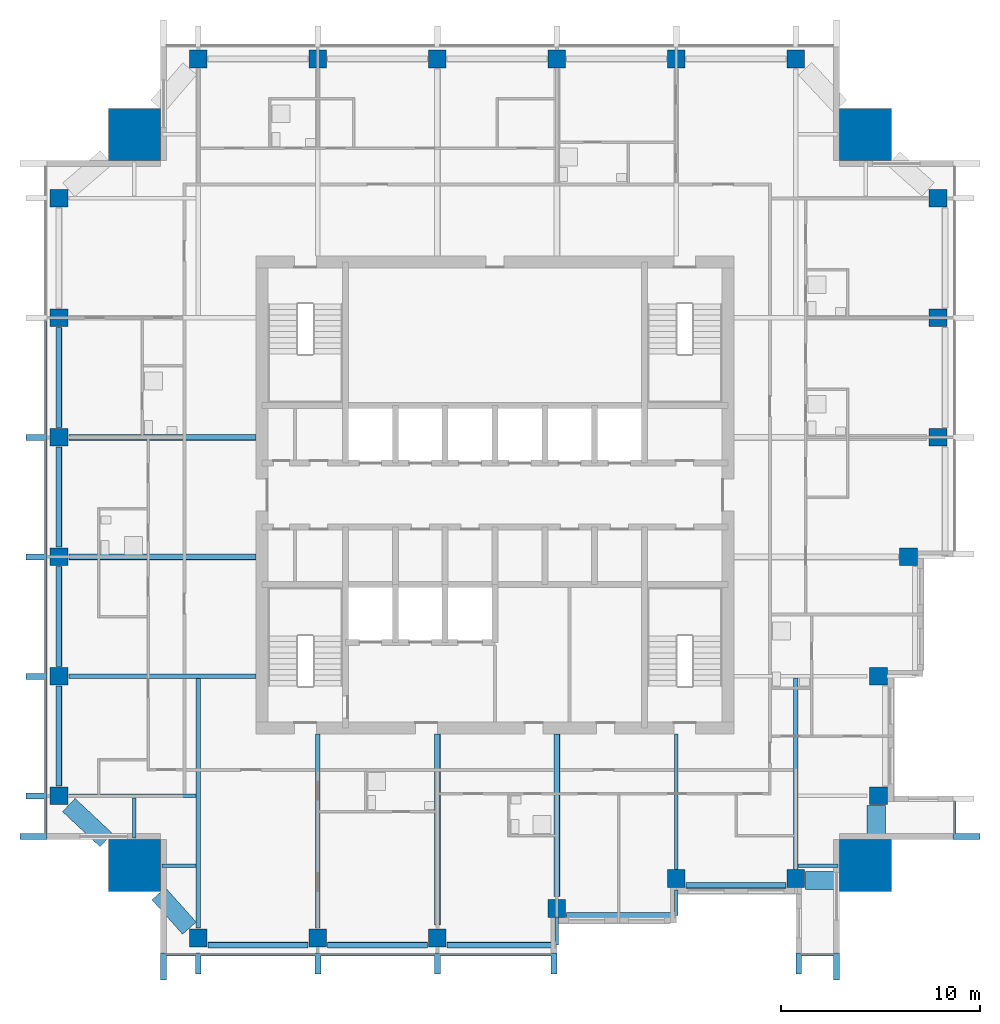
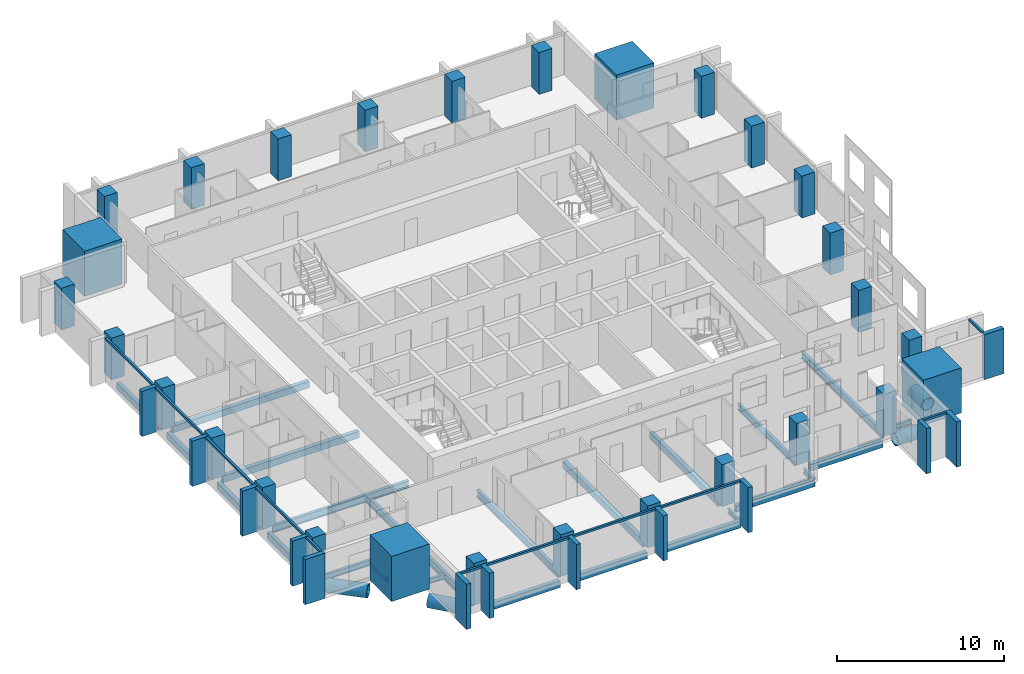
# One storey, part 1 of 12: 28 beams, 28 columns, 24 members, 4 elements without a shape of their own.
"""IFC4 building model written with IfcOpenShell, lengths in metres."""

from ifc_helpers import new_model, si_unit, direction, frame, origin, origin_2d, place, context, subcontext, project, spatial, rectangle, hollow_rectangle, hollow_circle, i_section, extrude, material, material_profile, profile_set, type_object, element, aggregate, save


model = new_model("IFC4")

# Units and contexts
model_context = context("Model", 3, precision=1e-05, world=origin(), true_north=direction((0.0, 1.0)))
body_context = subcontext(model_context, "Body", "Model", "MODEL_VIEW")
ifc_project = project(units=[si_unit("LENGTHUNIT", "METRE"), si_unit("AREAUNIT", "SQUARE_METRE"), si_unit("VOLUMEUNIT", "CUBIC_METRE"), si_unit("PLANEANGLEUNIT", "RADIAN"), si_unit("MASSUNIT", "GRAM", prefix="KILO")], contexts=[model_context])

# Site, building, storey
site_placement = place(None, origin())
site = spatial("IfcSite", under=ifc_project, at=site_placement, CompositionType="ELEMENT")
building_placement = place(site_placement, origin())
building = spatial("IfcBuilding", under=site, at=building_placement, Name="Amberfall Residences", CompositionType="ELEMENT")
storey_placement = place(building_placement, frame((0.0, 0.0, 187.0)))
storey = spatial("IfcBuildingStorey", under=building, at=storey_placement, Name="L49", CompositionType="ELEMENT", Elevation=187.0)

# Columns
ifc_material_1 = material(Name="Concrete C55", Category="concrete")
ifc_material_profile_1 = material_profile(ifc_material_1, rectangle(XDim=0.89990234375, YDim=0.89990234375, at=origin_2d()), Name="Column 900 x 900 C55")
ifc_profile_set_1 = profile_set([ifc_material_profile_1], Name="Concrete C55")
column_type_1 = type_object("IfcColumnType", Name="Column 900 x 900 C55", PredefinedType="COLUMN", material=ifc_profile_set_1)
for number, where, z_axis, x_axis, name in (
    (1, (59.60009765625, 23.25, 0.0), (0.0, 0.0, 1.0), (1.0, 0.0, 0.0), "Column C4 L49 S1"),
    (2, (65.60009765625, 23.25, 0.0), (0.0, 0.0, 1.0), (1.0, 0.0, 0.0), "Column C4 L49 S2"),
    (3, (71.60009765625, 23.25, 0.0), (0.0, 0.0, 1.0), (1.0, 0.0, 0.0), "Column C4 L49 S3"),
    (4, (77.60009765625, 24.75, 0.0), (0.0, 0.0, 1.0), (1.0, 0.0, 0.0), "Column C4 L49 S4"),
    (5, (83.60009765625, 26.25, 0.0), (0.0, 0.0, 1.0), (1.0, 0.0, 0.0), "Column C4 L49 S5"),
    (6, (89.60009765625, 26.25, 0.0), (0.0, 0.0, 1.0), (1.0, 0.0, 0.0), "Column C4 L49 S6"),
    (7, (93.75, 30.39990234375, 0.0), (0.0, 0.0, 1.0), (1.0, 0.0, 0.0), "Column C4 L49 E1"),
    (8, (93.75, 36.39990234375, 0.0), (0.0, 0.0, 1.0), (1.0, 0.0, 0.0), "Column C4 L49 E2"),
    (9, (95.25, 42.39990234375, 0.0), (0.0, 0.0, 1.0), (1.0, 0.0, 0.0), "Column C4 L49 E3"),
    (10, (96.75, 48.39990234375, 0.0), (0.0, 0.0, 1.0), (1.0, 0.0, 0.0), "Column C4 L49 E4"),
    (11, (96.75, 54.39990234375, 0.0), (0.0, 0.0, 1.0), (1.0, 0.0, 0.0), "Column C4 L49 E5"),
    (12, (96.75, 60.39990234375, 0.0), (0.0, 0.0, 1.0), (1.0, 0.0, 0.0), "Column C4 L49 E6"),
    (13, (59.60009765625, 67.39990234375, 0.0), (0.0, 0.0, 1.0), (1.0, 0.0, 0.0), "Column C4 L49 N1"),
    (14, (65.60009765625, 67.39990234375, 0.0), (0.0, 0.0, 1.0), (1.0, 0.0, 0.0), "Column C4 L49 N2"),
    (15, (71.60009765625, 67.39990234375, 0.0), (0.0, 0.0, 1.0), (1.0, 0.0, 0.0), "Column C4 L49 N3"),
    (16, (77.60009765625, 67.39990234375, 0.0), (0.0, 0.0, 1.0), (1.0, 0.0, 0.0), "Column C4 L49 N4"),
    (17, (83.60009765625, 67.39990234375, 0.0), (0.0, 0.0, 1.0), (1.0, 0.0, 0.0), "Column C4 L49 N5"),
    (18, (89.60009765625, 67.39990234375, 0.0), (0.0, 0.0, 1.0), (1.0, 0.0, 0.0), "Column C4 L49 N6"),
    (19, (52.60009765625, 30.39990234375, 0.0), (0.0, 0.0, 1.0), (1.0, 0.0, 0.0), "Column C4 L49 W1"),
    (20, (52.60009765625, 36.39990234375, 0.0), (0.0, 0.0, 1.0), (1.0, 0.0, 0.0), "Column C4 L49 W2"),
    (21, (52.60009765625, 42.39990234375, 0.0), (0.0, 0.0, 1.0), (1.0, 0.0, 0.0), "Column C4 L49 W3"),
    (22, (52.60009765625, 48.39990234375, 0.0), (0.0, 0.0, 1.0), (1.0, 0.0, 0.0), "Column C4 L49 W4"),
    (23, (52.60009765625, 54.39990234375, 0.0), (0.0, 0.0, 1.0), (1.0, 0.0, 0.0), "Column C4 L49 W5"),
    (24, (52.60009765625, 60.39990234375, 0.0), (0.0, 0.0, 1.0), (1.0, 0.0, 0.0), "Column C4 L49 W6"),
):
    element("IfcColumn", number, at=place(storey_placement, frame(where, z_axis=z_axis, x_axis=x_axis)), inside=storey, type_object=column_type_1, Name=name, PredefinedType="COLUMN", context=body_context, shape_type="SweptSolid", body=[
        extrude(rectangle(XDim=0.89990234375, YDim=0.89990234375, at=origin_2d()), origin(), (0.0, 0.0, 1.0), 3.050048828125),
    ])
ifc_material_profile_2 = material_profile(ifc_material_1, rectangle(XDim=2.60009765625, YDim=2.60009765625, at=origin_2d()), Name="Mega column 2600 x 2600 C55")
ifc_profile_set_2 = profile_set([ifc_material_profile_2], Name="Concrete C55")
column_type_2 = type_object("IfcColumnType", Name="Mega column 2600 x 2600 C55", PredefinedType="COLUMN", material=ifc_profile_set_2)
for number, where, z_axis, x_axis, name in (
    (25, (56.39990234375, 26.89990234375, 0.0), (0.0, 0.0, 1.0), (1.0, 0.0, 0.0), "Mega column MC8 L49 SW"),
    (26, (93.10009765625, 26.89990234375, 0.0), (0.0, 0.0, 1.0), (1.0, 0.0, 0.0), "Mega column MC8 L49 SE"),
    (27, (93.10009765625, 63.60009765625, 0.0), (0.0, 0.0, 1.0), (1.0, 0.0, 0.0), "Mega column MC8 L49 NE"),
    (28, (56.39990234375, 63.60009765625, 0.0), (0.0, 0.0, 1.0), (1.0, 0.0, 0.0), "Mega column MC8 L49 NW"),
):
    element("IfcColumn", number, at=place(storey_placement, frame(where, z_axis=z_axis, x_axis=x_axis)), inside=storey, type_object=column_type_2, Name=name, PredefinedType="COLUMN", context=body_context, shape_type="SweptSolid", body=[
        extrude(rectangle(XDim=2.60009765625, YDim=2.60009765625, at=origin_2d()), origin(), (0.0, 0.0, 1.0), 3.300048828125),
    ])

# Beams
ifc_material_2 = material(Name="Steel S355", Category="steel")
ifc_material_profile_3 = material_profile(ifc_material_2, hollow_circle(Radius=0.457275390625, WallThickness=0.06005859375, at=origin_2d()), Name="CHS 914.4x60")
ifc_profile_set_3 = profile_set([ifc_material_profile_3], Name="Steel S355")
beam_type_1 = type_object("IfcBeamType", Name="Belt truss chord BT CHS 914.4x60", PredefinedType="BEAM", material=ifc_profile_set_3)
beam_1_placement = place(storey_placement, frame((57.613037109375, 25.48046875, -0.707275390625), z_axis=(0.665848127469, -0.746087307992, 0.0), x_axis=(0.746087307992, 0.665848127469, 0.0)))
element("IfcBeam", 29, at=beam_1_placement, inside=storey, type_object=beam_type_1, Name="Belt truss chord BT BT2 L49 49", PredefinedType="BEAM", context=body_context, shape_type="SweptSolid", body=[
    extrude(hollow_circle(Radius=0.457275390625, WallThickness=0.06005859375, at=origin_2d()), origin(), (0.0, 0.0, 1.0), 2.3154296875),
])
beam_2_placement = place(storey_placement, frame((54.980712890625, 28.1728515625, -0.707275390625), z_axis=(-0.730272939215, 0.683155497856, 0.0), x_axis=(-0.683155497856, -0.730272939215, 0.0)))
element("IfcBeam", 30, at=beam_2_placement, inside=storey, type_object=beam_type_1, Name="Belt truss chord BT BT2 L49 50", PredefinedType="BEAM", context=body_context, shape_type="SweptSolid", body=[
    extrude(hollow_circle(Radius=0.457275390625, WallThickness=0.06005859375, at=origin_2d()), origin(), (0.0, 0.0, 1.0), 2.5751953125),
])
for number, where, z_axis, x_axis, name in (
    (31, (91.718505859375, 26.14404296875, -0.707275390625), (-1.0, 0.0, 0.0), (0.0, -1.0, 0.0), "Belt truss chord BT BT2 L49 51"),
    (32, (93.637451171875, 28.281494140625, -0.707275390625), (0.0, 1.0, 0.0), (-1.0, 0.0, 0.0), "Belt truss chord BT BT2 L49 52"),
):
    element("IfcBeam", number, at=place(storey_placement, frame(where, z_axis=z_axis, x_axis=x_axis)), inside=storey, type_object=beam_type_1, Name=name, PredefinedType="BEAM", context=body_context, shape_type="SweptSolid", body=[
        extrude(hollow_circle(Radius=0.457275390625, WallThickness=0.06005859375, at=origin_2d()), origin(), (0.0, 0.0, 1.0), 1.618408203125),
    ])
ifc_material_profile_4 = material_profile(ifc_material_2, hollow_rectangle(XDim=0.300048828125, YDim=0.5, WallThickness=0.01611328125, InnerFilletRadius=0.01611328125, OuterFilletRadius=0.02392578125, at=origin_2d()), Name="RHS 500x300x16")
ifc_profile_set_4 = profile_set([ifc_material_profile_4], Name="Steel S355")
beam_type_2 = type_object("IfcBeamType", Name="Belt truss chord BT RHS 500x300x16", PredefinedType="BEAM", material=ifc_profile_set_4)
for number, where, z_axis, x_axis, name in (
    (33, (60.10009765625, 22.89990234375, -0.5), (1.0, 0.0, 0.0), (0.0, 1.0, 0.0), "Belt truss chord BT BT1 L49 01"),
    (34, (66.10009765625, 22.89990234375, -0.5), (1.0, 0.0, 0.0), (0.0, 1.0, 0.0), "Belt truss chord BT BT1 L49 02"),
):
    element("IfcBeam", number, at=place(storey_placement, frame(where, z_axis=z_axis, x_axis=x_axis)), inside=storey, type_object=beam_type_2, Name=name, PredefinedType="BEAM", context=body_context, shape_type="SweptSolid", body=[
        extrude(hollow_rectangle(XDim=0.300048828125, YDim=0.5, WallThickness=0.01611328125, InnerFilletRadius=0.01611328125, OuterFilletRadius=0.02392578125, at=origin_2d()), origin(), (0.0, 0.0, 1.0), 5.0),
    ])
for number, where, z_axis, x_axis, name in (
    (35, (72.10009765625, 22.89990234375, -0.5), (1.0, 0.0, 0.0), (0.0, 1.0, 0.0), "Belt truss chord BT BT1 L49 03"),
    (36, (78.10009765625, 24.39990234375, -0.5), (1.0, 0.0, 0.0), (0.0, 1.0, 0.0), "Belt truss chord BT BT1 L49 04"),
):
    element("IfcBeam", number, at=place(storey_placement, frame(where, z_axis=z_axis, x_axis=x_axis)), inside=storey, type_object=beam_type_2, Name=name, PredefinedType="BEAM", context=body_context, shape_type="SweptSolid", body=[
        extrude(hollow_rectangle(XDim=0.300048828125, YDim=0.5, WallThickness=0.01611328125, InnerFilletRadius=0.01611328125, OuterFilletRadius=0.02392578125, at=origin_2d()), origin(), (0.0, 0.0, 1.0), 5.419921875),
    ])
for number, where, z_axis, x_axis, name in (
    (37, (84.10009765625, 25.89990234375, -0.5), (1.0, 0.0, 0.0), (0.0, 1.0, 0.0), "Belt truss chord BT BT1 L49 05"),
    (38, (52.60009765625, 30.89990234375, -0.5), (0.0, 1.0, 0.0), (-1.0, 0.0, 0.0), "Belt truss chord BT BT1 L49 38"),
    (39, (52.60009765625, 36.89990234375, -0.5), (0.0, 1.0, 0.0), (-1.0, 0.0, 0.0), "Belt truss chord BT BT1 L49 39"),
    (40, (52.60009765625, 42.89990234375, -0.5), (0.0, 1.0, 0.0), (-1.0, 0.0, 0.0), "Belt truss chord BT BT1 L49 40"),
    (41, (52.60009765625, 48.89990234375, -0.5), (0.0, 1.0, 0.0), (-1.0, 0.0, 0.0), "Belt truss chord BT BT1 L49 41"),
):
    element("IfcBeam", number, at=place(storey_placement, frame(where, z_axis=z_axis, x_axis=x_axis)), inside=storey, type_object=beam_type_2, Name=name, PredefinedType="BEAM", context=body_context, shape_type="SweptSolid", body=[
        extrude(hollow_rectangle(XDim=0.300048828125, YDim=0.5, WallThickness=0.01611328125, InnerFilletRadius=0.01611328125, OuterFilletRadius=0.02392578125, at=origin_2d()), origin(), (0.0, 0.0, 1.0), 5.0),
    ])

# Curtain wall, members
ifc_material_3 = material(Name="Bronze anodised aluminium and glass", Category="aluminium")
curtain_wall_type = type_object("IfcCurtainWallType", Name="Curtain wall CW1 tower unit", PredefinedType="USERDEFINED", material=ifc_material_3)
curtain_wall_1_placement = place(storey_placement, origin())
curtain_wall_1 = element("IfcCurtainWall", 42, at=curtain_wall_1_placement, inside=storey, type_object=curtain_wall_type, Name="Curtain wall L49 S S1", ObjectType="UNITISED CURTAIN WALL", PredefinedType="USERDEFINED")
ifc_material_4 = material(Name="Bronze anodised aluminium", Category="aluminium")
ifc_material_profile_5 = material_profile(ifc_material_4, rectangle(XDim=0.14990234375, YDim=0.14990234375, at=origin_2d()), Name="CW1 transom 150 x 150 bronze")
ifc_profile_set_5 = profile_set([ifc_material_profile_5], Name="Bronze anodised aluminium")
member_type_1 = type_object("IfcMemberType", Name="CW1 transom 150 x 150 bronze", PredefinedType="USERDEFINED", material=ifc_profile_set_5)
member_1_placement = place(storey_placement, frame((58.0, 22.425048828125, 2.97509765625), z_axis=(1.0, 0.0, 0.0), x_axis=(0.0, 1.0, 0.0)))
member_1 = element("IfcMember", 43, at=member_1_placement, type_object=member_type_1, Name="CW1 transom 1.1", ObjectType="TRANSOM", PredefinedType="USERDEFINED", context=body_context, shape_type="SweptSolid", body=[
    extrude(rectangle(XDim=0.14990234375, YDim=0.14990234375, at=origin_2d()), origin(), (0.0, 0.0, 1.0), 1.449951171875),
])
member_2_placement = place(storey_placement, frame((59.75, 22.425048828125, 2.97509765625), z_axis=(1.0, 0.0, 0.0), x_axis=(0.0, 1.0, 0.0)))
member_2 = element("IfcMember", 44, at=member_2_placement, type_object=member_type_1, Name="CW1 transom 2.1", ObjectType="TRANSOM", PredefinedType="USERDEFINED", context=body_context, shape_type="SweptSolid", body=[
    extrude(rectangle(XDim=0.14990234375, YDim=0.14990234375, at=origin_2d()), origin(), (0.0, 0.0, 1.0), 5.699951171875),
])
member_3_placement = place(storey_placement, frame((65.75, 22.425048828125, 2.97509765625), z_axis=(1.0, 0.0, 0.0), x_axis=(0.0, 1.0, 0.0)))
member_3 = element("IfcMember", 45, at=member_3_placement, type_object=member_type_1, Name="CW1 transom 3.1", ObjectType="TRANSOM", PredefinedType="USERDEFINED", context=body_context, shape_type="SweptSolid", body=[
    extrude(rectangle(XDim=0.14990234375, YDim=0.14990234375, at=origin_2d()), origin(), (0.0, 0.0, 1.0), 5.699951171875),
])
member_4_placement = place(storey_placement, frame((71.75, 22.425048828125, 2.97509765625), z_axis=(1.0, 0.0, 0.0), x_axis=(0.0, 1.0, 0.0)))
member_4 = element("IfcMember", 46, at=member_4_placement, type_object=member_type_1, Name="CW1 transom 4.1", ObjectType="TRANSOM", PredefinedType="USERDEFINED", context=body_context, shape_type="SweptSolid", body=[
    extrude(rectangle(XDim=0.14990234375, YDim=0.14990234375, at=origin_2d()), origin(), (0.0, 0.0, 1.0), 5.550048828125),
])

# Curtain wall, member
curtain_wall_2_placement = place(storey_placement, origin())
curtain_wall_2 = element("IfcCurtainWall", 47, at=curtain_wall_2_placement, inside=storey, type_object=curtain_wall_type, Name="Curtain wall L49 S S7", ObjectType="UNITISED CURTAIN WALL", PredefinedType="USERDEFINED")
member_5_placement = place(storey_placement, frame((89.89990234375, 22.425048828125, 2.97509765625), z_axis=(1.0, 0.0, 0.0), x_axis=(0.0, 1.0, 0.0)))
member_5 = element("IfcMember", 48, at=member_5_placement, type_object=member_type_1, Name="CW1 transom 1.1", ObjectType="TRANSOM", PredefinedType="USERDEFINED", context=body_context, shape_type="SweptSolid", body=[
    extrude(rectangle(XDim=0.14990234375, YDim=0.14990234375, at=origin_2d()), origin(), (0.0, 0.0, 1.0), 1.60009765625),
])

curtain_wall_3_placement = place(storey_placement, origin())
curtain_wall_3 = element("IfcCurtainWall", 49, at=curtain_wall_3_placement, inside=storey, type_object=curtain_wall_type, Name="Curtain wall L49 E E1", ObjectType="UNITISED CURTAIN WALL", PredefinedType="USERDEFINED")
member_6_placement = place(storey_placement, frame((97.574951171875, 28.5, 2.97509765625), z_axis=(0.0, 1.0, 0.0), x_axis=(-1.0, 0.0, 0.0)))
member_6 = element("IfcMember", 50, at=member_6_placement, type_object=member_type_1, Name="CW1 transom 1.1", ObjectType="TRANSOM", PredefinedType="USERDEFINED", context=body_context, shape_type="SweptSolid", body=[
    extrude(rectangle(XDim=0.14990234375, YDim=0.14990234375, at=origin_2d()), origin(), (0.0, 0.0, 1.0), 1.60009765625),
])

# Curtain wall, members
curtain_wall_4_placement = place(storey_placement, origin())
curtain_wall_4 = element("IfcCurtainWall", 51, at=curtain_wall_4_placement, inside=storey, type_object=curtain_wall_type, Name="Curtain wall L49 W W1", ObjectType="UNITISED CURTAIN WALL", PredefinedType="USERDEFINED")
member_7_placement = place(storey_placement, frame((51.925048828125, 54.25, 2.97509765625), z_axis=(0.0, -1.0, 0.0), x_axis=(1.0, 0.0, 0.0)))
member_7 = element("IfcMember", 52, at=member_7_placement, type_object=member_type_1, Name="CW1 transom 3.1", ObjectType="TRANSOM", PredefinedType="USERDEFINED", context=body_context, shape_type="SweptSolid", body=[
    extrude(rectangle(XDim=0.14990234375, YDim=0.14990234375, at=origin_2d()), origin(), (0.0, 0.0, 1.0), 5.699951171875),
])
member_8_placement = place(storey_placement, frame((51.925048828125, 48.25, 2.97509765625), z_axis=(0.0, -1.0, 0.0), x_axis=(1.0, 0.0, 0.0)))
member_8 = element("IfcMember", 53, at=member_8_placement, type_object=member_type_1, Name="CW1 transom 4.1", ObjectType="TRANSOM", PredefinedType="USERDEFINED", context=body_context, shape_type="SweptSolid", body=[
    extrude(rectangle(XDim=0.14990234375, YDim=0.14990234375, at=origin_2d()), origin(), (0.0, 0.0, 1.0), 5.699951171875),
])
member_9_placement = place(storey_placement, frame((51.925048828125, 42.25, 2.97509765625), z_axis=(0.0, -1.0, 0.0), x_axis=(1.0, 0.0, 0.0)))
member_9 = element("IfcMember", 54, at=member_9_placement, type_object=member_type_1, Name="CW1 transom 5.1", ObjectType="TRANSOM", PredefinedType="USERDEFINED", context=body_context, shape_type="SweptSolid", body=[
    extrude(rectangle(XDim=0.14990234375, YDim=0.14990234375, at=origin_2d()), origin(), (0.0, 0.0, 1.0), 5.699951171875),
])
member_10_placement = place(storey_placement, frame((51.925048828125, 36.25, 2.97509765625), z_axis=(0.0, -1.0, 0.0), x_axis=(1.0, 0.0, 0.0)))
member_10 = element("IfcMember", 55, at=member_10_placement, type_object=member_type_1, Name="CW1 transom 6.1", ObjectType="TRANSOM", PredefinedType="USERDEFINED", context=body_context, shape_type="SweptSolid", body=[
    extrude(rectangle(XDim=0.14990234375, YDim=0.14990234375, at=origin_2d()), origin(), (0.0, 0.0, 1.0), 5.699951171875),
])
member_11_placement = place(storey_placement, frame((51.925048828125, 30.25, 2.97509765625), z_axis=(0.0, -1.0, 0.0), x_axis=(1.0, 0.0, 0.0)))
member_11 = element("IfcMember", 56, at=member_11_placement, type_object=member_type_1, Name="CW1 transom 7.1", ObjectType="TRANSOM", PredefinedType="USERDEFINED", context=body_context, shape_type="SweptSolid", body=[
    extrude(rectangle(XDim=0.14990234375, YDim=0.14990234375, at=origin_2d()), origin(), (0.0, 0.0, 1.0), 1.75),
])

# Beams
ifc_material_profile_6 = material_profile(ifc_material_2, i_section(OverallWidth=0.171142578125, OverallDepth=0.351318359375, WebThickness=0.007080078125, FlangeThickness=0.009765625, FilletRadius=0.01025390625, at=origin_2d()), Name="UB 356x171x45")
ifc_profile_set_6 = profile_set([ifc_material_profile_6], Name="Steel S355")
beam_type_3 = type_object("IfcBeamType", Name="Cantilever girder UB 356x171x45", PredefinedType="BEAM", material=ifc_profile_set_6)
beam_3_placement = place(storey_placement, frame((77.60009765625, 24.32177734375, -0.42578125), z_axis=(0.0, -1.0, 0.0), x_axis=(1.0, 0.0, 0.0)))
element("IfcBeam", 57, at=beam_3_placement, inside=storey, type_object=beam_type_3, Name="Cantilever girder B8 L49 06", PredefinedType="BEAM", context=body_context, shape_type="SweptSolid", body=[
    extrude(i_section(OverallWidth=0.171142578125, OverallDepth=0.351318359375, WebThickness=0.007080078125, FlangeThickness=0.009765625, FilletRadius=0.01025390625, at=origin_2d()), origin(), (0.0, 0.0, 1.0), 1.421875),
])
beam_4_placement = place(storey_placement, frame((83.60009765625, 25.66943359375, -0.42578125), z_axis=(0.0, -1.0, 0.0), x_axis=(1.0, 0.0, 0.0)))
element("IfcBeam", 58, at=beam_4_placement, inside=storey, type_object=beam_type_3, Name="Cantilever girder B8 L49 07", PredefinedType="BEAM", context=body_context, shape_type="SweptSolid", body=[
    extrude(i_section(OverallWidth=0.171142578125, OverallDepth=0.351318359375, WebThickness=0.007080078125, FlangeThickness=0.009765625, FilletRadius=0.01025390625, at=origin_2d()), origin(), (0.0, 0.0, 1.0), 1.26953125),
])

# Member
ifc_material_profile_7 = material_profile(ifc_material_4, rectangle(XDim=1.35009765625, YDim=0.300048828125, at=origin_2d()), Name="Corner fin 300 x 1350 bronze")
ifc_profile_set_7 = profile_set([ifc_material_profile_7], Name="Bronze anodised aluminium")
member_type_2 = type_object("IfcMemberType", Name="Corner fin 300 x 1350 bronze", PredefinedType="MULLION", material=ifc_profile_set_7)
member_12_placement = place(storey_placement, frame((57.85009765625, 21.824951171875, -0.25), z_axis=(0.0, 0.0, 1.0), x_axis=(0.0, 1.0, 0.0)))
member_12 = element("IfcMember", 59, at=member_12_placement, type_object=member_type_2, Name="CW FIN 1", PredefinedType="MULLION", context=body_context, shape_type="SweptSolid", body=[
    extrude(rectangle(XDim=1.35009765625, YDim=0.300048828125, at=origin_2d()), origin(), (0.0, 0.0, 1.0), 3.300048828125),
])

member_13_placement = place(storey_placement, frame((91.64990234375, 21.824951171875, -0.25), z_axis=(0.0, 0.0, 1.0), x_axis=(0.0, 1.0, 0.0)))
member_13 = element("IfcMember", 60, at=member_13_placement, type_object=member_type_2, Name="CW FIN 2", PredefinedType="MULLION", context=body_context, shape_type="SweptSolid", body=[
    extrude(rectangle(XDim=1.35009765625, YDim=0.300048828125, at=origin_2d()), origin(), (0.0, 0.0, 1.0), 3.300048828125),
])

member_14_placement = place(storey_placement, frame((98.175048828125, 28.35009765625, -0.25), z_axis=(0.0, 0.0, 1.0), x_axis=(-1.0, 0.0, 0.0)))
member_14 = element("IfcMember", 61, at=member_14_placement, type_object=member_type_2, Name="CW FIN 1", PredefinedType="MULLION", context=body_context, shape_type="SweptSolid", body=[
    extrude(rectangle(XDim=1.35009765625, YDim=0.300048828125, at=origin_2d()), origin(), (0.0, 0.0, 1.0), 3.300048828125),
])

aggregate(curtain_wall_3, [member_14, member_6])

member_15_placement = place(storey_placement, frame((51.324951171875, 28.35009765625, -0.25), z_axis=(0.0, 0.0, 1.0), x_axis=(1.0, 0.0, 0.0)))
member_15 = element("IfcMember", 62, at=member_15_placement, type_object=member_type_2, Name="CW FIN 8", PredefinedType="MULLION", context=body_context, shape_type="SweptSolid", body=[
    extrude(rectangle(XDim=1.35009765625, YDim=0.300048828125, at=origin_2d()), origin(), (0.0, 0.0, 1.0), 3.300048828125),
])

ifc_material_profile_8 = material_profile(ifc_material_4, rectangle(XDim=1.050048828125, YDim=0.300048828125, at=origin_2d()), Name="Fin 300 x 1050 bronze")
ifc_profile_set_8 = profile_set([ifc_material_profile_8], Name="Bronze anodised aluminium")
member_type_3 = type_object("IfcMemberType", Name="Fin 300 x 1050 bronze", PredefinedType="MULLION", material=ifc_profile_set_8)
member_16_placement = place(storey_placement, frame((59.60009765625, 21.97509765625, -0.25), z_axis=(0.0, 0.0, 1.0), x_axis=(0.0, 1.0, 0.0)))
member_16 = element("IfcMember", 63, at=member_16_placement, type_object=member_type_3, Name="CW FIN 2", PredefinedType="MULLION", context=body_context, shape_type="SweptSolid", body=[
    extrude(rectangle(XDim=1.050048828125, YDim=0.300048828125, at=origin_2d()), origin(), (0.0, 0.0, 1.0), 3.300048828125),
])

member_17_placement = place(storey_placement, frame((65.60009765625, 21.97509765625, -0.25), z_axis=(0.0, 0.0, 1.0), x_axis=(0.0, 1.0, 0.0)))
member_17 = element("IfcMember", 64, at=member_17_placement, type_object=member_type_3, Name="CW FIN 3", PredefinedType="MULLION", context=body_context, shape_type="SweptSolid", body=[
    extrude(rectangle(XDim=1.050048828125, YDim=0.300048828125, at=origin_2d()), origin(), (0.0, 0.0, 1.0), 3.300048828125),
])

member_18_placement = place(storey_placement, frame((71.60009765625, 21.97509765625, -0.25), z_axis=(0.0, 0.0, 1.0), x_axis=(0.0, 1.0, 0.0)))
member_18 = element("IfcMember", 65, at=member_18_placement, type_object=member_type_3, Name="CW FIN 4", PredefinedType="MULLION", context=body_context, shape_type="SweptSolid", body=[
    extrude(rectangle(XDim=1.050048828125, YDim=0.300048828125, at=origin_2d()), origin(), (0.0, 0.0, 1.0), 3.300048828125),
])

member_19_placement = place(storey_placement, frame((77.449951171875, 21.97509765625, -0.25), z_axis=(0.0, 0.0, 1.0), x_axis=(0.0, 1.0, 0.0)))
member_19 = element("IfcMember", 66, at=member_19_placement, type_object=member_type_3, Name="CW FIN 5", PredefinedType="MULLION", context=body_context, shape_type="SweptSolid", body=[
    extrude(rectangle(XDim=1.050048828125, YDim=0.300048828125, at=origin_2d()), origin(), (0.0, 0.0, 1.0), 3.300048828125),
])

aggregate(curtain_wall_1, [member_12, member_16, member_17, member_18, member_19, member_1, member_2, member_3, member_4])

member_20_placement = place(storey_placement, frame((89.75, 21.97509765625, -0.25), z_axis=(0.0, 0.0, 1.0), x_axis=(0.0, 1.0, 0.0)))
member_20 = element("IfcMember", 67, at=member_20_placement, type_object=member_type_3, Name="CW FIN 1", PredefinedType="MULLION", context=body_context, shape_type="SweptSolid", body=[
    extrude(rectangle(XDim=1.050048828125, YDim=0.300048828125, at=origin_2d()), origin(), (0.0, 0.0, 1.0), 3.300048828125),
])

aggregate(curtain_wall_2, [member_20, member_13, member_5])

member_21_placement = place(storey_placement, frame((51.47509765625, 48.39990234375, -0.25), z_axis=(0.0, 0.0, 1.0), x_axis=(1.0, 0.0, 0.0)))
member_21 = element("IfcMember", 68, at=member_21_placement, type_object=member_type_3, Name="CW FIN 4", PredefinedType="MULLION", context=body_context, shape_type="SweptSolid", body=[
    extrude(rectangle(XDim=1.050048828125, YDim=0.300048828125, at=origin_2d()), origin(), (0.0, 0.0, 1.0), 3.300048828125),
])

member_22_placement = place(storey_placement, frame((51.47509765625, 42.39990234375, -0.25), z_axis=(0.0, 0.0, 1.0), x_axis=(1.0, 0.0, 0.0)))
member_22 = element("IfcMember", 69, at=member_22_placement, type_object=member_type_3, Name="CW FIN 5", PredefinedType="MULLION", context=body_context, shape_type="SweptSolid", body=[
    extrude(rectangle(XDim=1.050048828125, YDim=0.300048828125, at=origin_2d()), origin(), (0.0, 0.0, 1.0), 3.300048828125),
])

member_23_placement = place(storey_placement, frame((51.47509765625, 36.39990234375, -0.25), z_axis=(0.0, 0.0, 1.0), x_axis=(1.0, 0.0, 0.0)))
member_23 = element("IfcMember", 70, at=member_23_placement, type_object=member_type_3, Name="CW FIN 6", PredefinedType="MULLION", context=body_context, shape_type="SweptSolid", body=[
    extrude(rectangle(XDim=1.050048828125, YDim=0.300048828125, at=origin_2d()), origin(), (0.0, 0.0, 1.0), 3.300048828125),
])

member_24_placement = place(storey_placement, frame((51.47509765625, 30.39990234375, -0.25), z_axis=(0.0, 0.0, 1.0), x_axis=(1.0, 0.0, 0.0)))
member_24 = element("IfcMember", 71, at=member_24_placement, type_object=member_type_3, Name="CW FIN 7", PredefinedType="MULLION", context=body_context, shape_type="SweptSolid", body=[
    extrude(rectangle(XDim=1.050048828125, YDim=0.300048828125, at=origin_2d()), origin(), (0.0, 0.0, 1.0), 3.300048828125),
])

aggregate(curtain_wall_4, [member_21, member_22, member_23, member_24, member_15, member_7, member_8, member_9, member_10, member_11])

# Beams
ifc_material_profile_9 = material_profile(ifc_material_2, i_section(OverallWidth=0.177734375, OverallDepth=0.402587890625, WebThickness=0.0078125, FlangeThickness=0.010986328125, FilletRadius=0.01025390625, at=origin_2d()), Name="UB 406x178x54")
ifc_profile_set_9 = profile_set([ifc_material_profile_9], Name="Steel S355")
beam_type_4 = type_object("IfcBeamType", Name="Floor girder UB 406x178x54", PredefinedType="BEAM", material=ifc_profile_set_9)
beam_5_placement = place(storey_placement, frame((53.10009765625, 30.39990234375, -0.451416015625), z_axis=(1.0, 0.0, 0.0), x_axis=(0.0, 1.0, 0.0)))
element("IfcBeam", 72, at=beam_5_placement, inside=storey, type_object=beam_type_4, Name="Floor girder B4 L49 43", PredefinedType="BEAM", context=body_context, shape_type="SweptSolid", body=[
    extrude(i_section(OverallWidth=0.177734375, OverallDepth=0.402587890625, WebThickness=0.0078125, FlangeThickness=0.010986328125, FilletRadius=0.01025390625, at=origin_2d()), origin(), (0.0, 0.0, 1.0), 6.3798828125),
])
ifc_material_profile_10 = material_profile(ifc_material_2, i_section(OverallWidth=0.19140625, OverallDepth=0.4599609375, WebThickness=0.010009765625, FlangeThickness=0.01611328125, FilletRadius=0.01025390625, at=origin_2d()), Name="UB 457x191x82")
ifc_profile_set_10 = profile_set([ifc_material_profile_10], Name="Steel S355")
beam_type_5 = type_object("IfcBeamType", Name="Floor girder UB 457x191x82", PredefinedType="BEAM", material=ifc_profile_set_10)
beam_6_placement = place(storey_placement, frame((83.60009765625, 26.681640625, -0.47998046875), z_axis=(0.0, 1.0, 0.0), x_axis=(-1.0, 0.0, 0.0)))
element("IfcBeam", 73, at=beam_6_placement, inside=storey, type_object=beam_type_5, Name="Floor girder B10 L49 12", PredefinedType="BEAM", context=body_context, shape_type="SweptSolid", body=[
    extrude(i_section(OverallWidth=0.19140625, OverallDepth=0.4599609375, WebThickness=0.010009765625, FlangeThickness=0.01611328125, FilletRadius=0.01025390625, at=origin_2d()), origin(), (0.0, 0.0, 1.0), 6.818359375),
])
ifc_material_profile_11 = material_profile(ifc_material_2, i_section(OverallWidth=0.210693359375, OverallDepth=0.53955078125, WebThickness=0.01171875, FlangeThickness=0.018798828125, FilletRadius=0.0126953125, at=origin_2d()), Name="UB 533x210x109")
ifc_profile_set_11 = profile_set([ifc_material_profile_11], Name="Steel S355")
beam_type_6 = type_object("IfcBeamType", Name="Floor girder UB 533x210x109", PredefinedType="BEAM", material=ifc_profile_set_11)
beam_7_placement = place(storey_placement, frame((59.60009765625, 23.7529296875, -0.519775390625), z_axis=(0.0, 1.0, 0.0), x_axis=(-1.0, 0.0, 0.0)))
element("IfcBeam", 74, at=beam_7_placement, inside=storey, type_object=beam_type_6, Name="Floor girder B2 L49 08", PredefinedType="BEAM", context=body_context, shape_type="SweptSolid", body=[
    extrude(i_section(OverallWidth=0.210693359375, OverallDepth=0.53955078125, WebThickness=0.01171875, FlangeThickness=0.018798828125, FilletRadius=0.0126953125, at=origin_2d()), origin(), (0.0, 0.0, 1.0), 12.54736328125),
])
ifc_material_profile_12 = material_profile(ifc_material_2, i_section(OverallWidth=0.209228515625, OverallDepth=0.533203125, WebThickness=0.010009765625, FlangeThickness=0.015625, FilletRadius=0.0126953125, at=origin_2d()), Name="UB 533x210x92")
ifc_profile_set_12 = profile_set([ifc_material_profile_12], Name="Steel S355")
beam_type_7 = type_object("IfcBeamType", Name="Floor girder UB 533x210x92", PredefinedType="BEAM", material=ifc_profile_set_12)
beam_8_placement = place(storey_placement, frame((65.60009765625, 23.7529296875, -0.5166015625), z_axis=(0.0, 1.0, 0.0), x_axis=(-1.0, 0.0, 0.0)))
element("IfcBeam", 75, at=beam_8_placement, inside=storey, type_object=beam_type_7, Name="Floor girder B3 L49 09", PredefinedType="BEAM", context=body_context, shape_type="SweptSolid", body=[
    extrude(i_section(OverallWidth=0.209228515625, OverallDepth=0.533203125, WebThickness=0.010009765625, FlangeThickness=0.015625, FilletRadius=0.0126953125, at=origin_2d()), origin(), (0.0, 0.0, 1.0), 9.7470703125),
])
beam_9_placement = place(storey_placement, frame((89.60009765625, 26.681640625, -0.5166015625), z_axis=(0.0, 1.0, 0.0), x_axis=(-1.0, 0.0, 0.0)))
element("IfcBeam", 76, at=beam_9_placement, inside=storey, type_object=beam_type_7, Name="Floor girder B3 L49 13", PredefinedType="BEAM", context=body_context, shape_type="SweptSolid", body=[
    extrude(i_section(OverallWidth=0.209228515625, OverallDepth=0.533203125, WebThickness=0.010009765625, FlangeThickness=0.015625, FilletRadius=0.0126953125, at=origin_2d()), origin(), (0.0, 0.0, 1.0), 9.627685546875),
])
beam_10_placement = place(storey_placement, frame((53.10009765625, 36.39990234375, -0.5166015625), z_axis=(1.0, 0.0, 0.0), x_axis=(0.0, 1.0, 0.0)))
element("IfcBeam", 77, at=beam_10_placement, inside=storey, type_object=beam_type_7, Name="Floor girder B3 L49 44", PredefinedType="BEAM", context=body_context, shape_type="SweptSolid", body=[
    extrude(i_section(OverallWidth=0.209228515625, OverallDepth=0.533203125, WebThickness=0.010009765625, FlangeThickness=0.015625, FilletRadius=0.0126953125, at=origin_2d()), origin(), (0.0, 0.0, 1.0), 9.39990234375),
])
ifc_material_profile_13 = material_profile(ifc_material_2, i_section(OverallWidth=0.171142578125, OverallDepth=0.351318359375, WebThickness=0.007080078125, FlangeThickness=0.009765625, FilletRadius=0.01025390625, at=origin_2d()), Name="UB 356x171x45")
ifc_profile_set_13 = profile_set([ifc_material_profile_13], Name="Steel S355")
beam_type_8 = type_object("IfcBeamType", Name="Link beam UB 356x171x45", PredefinedType="BEAM", material=ifc_profile_set_13)
beam_11_placement = place(storey_placement, frame((57.78369140625, 26.880615234375, -0.42578125), z_axis=(1.0, 0.0, 0.0), x_axis=(0.0, 1.0, 0.0)))
element("IfcBeam", 78, at=beam_11_placement, inside=storey, type_object=beam_type_8, Name="Link beam B7 L49 57", PredefinedType="BEAM", context=body_context, shape_type="SweptSolid", body=[
    extrude(i_section(OverallWidth=0.171142578125, OverallDepth=0.351318359375, WebThickness=0.007080078125, FlangeThickness=0.009765625, FilletRadius=0.01025390625, at=origin_2d()), origin(), (0.0, 0.0, 1.0), 1.711181640625),
])
for number, where, z_axis, x_axis, name in (
    (79, (56.380615234375, 28.28369140625, -0.42578125), (0.0, 1.0, 0.0), (-1.0, 0.0, 0.0), "Link beam B7 L49 58"),
    (80, (91.71630859375, 26.880615234375, -0.42578125), (-1.0, 0.0, 0.0), (0.0, -1.0, 0.0), "Link beam B7 L49 59"),
):
    element("IfcBeam", number, at=place(storey_placement, frame(where, z_axis=z_axis, x_axis=x_axis)), inside=storey, type_object=beam_type_8, Name=name, PredefinedType="BEAM", context=body_context, shape_type="SweptSolid", body=[
        extrude(i_section(OverallWidth=0.171142578125, OverallDepth=0.351318359375, WebThickness=0.007080078125, FlangeThickness=0.009765625, FilletRadius=0.01025390625, at=origin_2d()), origin(), (0.0, 0.0, 1.0), 2.01123046875),
    ])
ifc_material_profile_14 = material_profile(ifc_material_2, hollow_rectangle(XDim=0.300048828125, YDim=0.5, WallThickness=0.01611328125, InnerFilletRadius=0.01611328125, OuterFilletRadius=0.02392578125, at=origin_2d()), Name="RHS 500x300x16")
ifc_profile_set_14 = profile_set([ifc_material_profile_14], Name="Steel S355")
beam_type_9 = type_object("IfcBeamType", Name="Outrigger truss chord OT RHS 500x300x16", PredefinedType="BEAM", material=ifc_profile_set_14)
beam_12_placement = place(storey_placement, frame((71.60009765625, 23.909423828125, -0.5), z_axis=(0.0, 1.0, 0.0), x_axis=(-1.0, 0.0, 0.0)))
element("IfcBeam", 81, at=beam_12_placement, inside=storey, type_object=beam_type_9, Name="Outrigger truss chord OT OT1 L49 10", PredefinedType="BEAM", context=body_context, shape_type="SweptSolid", body=[
    extrude(hollow_rectangle(XDim=0.300048828125, YDim=0.5, WallThickness=0.01611328125, InnerFilletRadius=0.01611328125, OuterFilletRadius=0.02392578125, at=origin_2d()), origin(), (0.0, 0.0, 1.0), 9.590576171875),
])
beam_13_placement = place(storey_placement, frame((77.60009765625, 25.3359375, -0.5), z_axis=(0.0, 1.0, 0.0), x_axis=(-1.0, 0.0, 0.0)))
element("IfcBeam", 82, at=beam_13_placement, inside=storey, type_object=beam_type_9, Name="Outrigger truss chord OT OT1 L49 11", PredefinedType="BEAM", context=body_context, shape_type="SweptSolid", body=[
    extrude(hollow_rectangle(XDim=0.300048828125, YDim=0.5, WallThickness=0.01611328125, InnerFilletRadius=0.01611328125, OuterFilletRadius=0.02392578125, at=origin_2d()), origin(), (0.0, 0.0, 1.0), 8.1640625),
])
for number, where, z_axis, x_axis, name in (
    (83, (53.10009765625, 42.39990234375, -0.5), (1.0, 0.0, 0.0), (0.0, 1.0, 0.0), "Outrigger truss chord OT OT1 L49 45"),
    (84, (53.10009765625, 48.39990234375, -0.5), (1.0, 0.0, 0.0), (0.0, 1.0, 0.0), "Outrigger truss chord OT OT1 L49 46"),
):
    element("IfcBeam", number, at=place(storey_placement, frame(where, z_axis=z_axis, x_axis=x_axis)), inside=storey, type_object=beam_type_9, Name=name, PredefinedType="BEAM", context=body_context, shape_type="SweptSolid", body=[
        extrude(hollow_rectangle(XDim=0.300048828125, YDim=0.5, WallThickness=0.01611328125, InnerFilletRadius=0.01611328125, OuterFilletRadius=0.02392578125, at=origin_2d()), origin(), (0.0, 0.0, 1.0), 9.39990234375),
    ])

save(model, "model.ifc")
